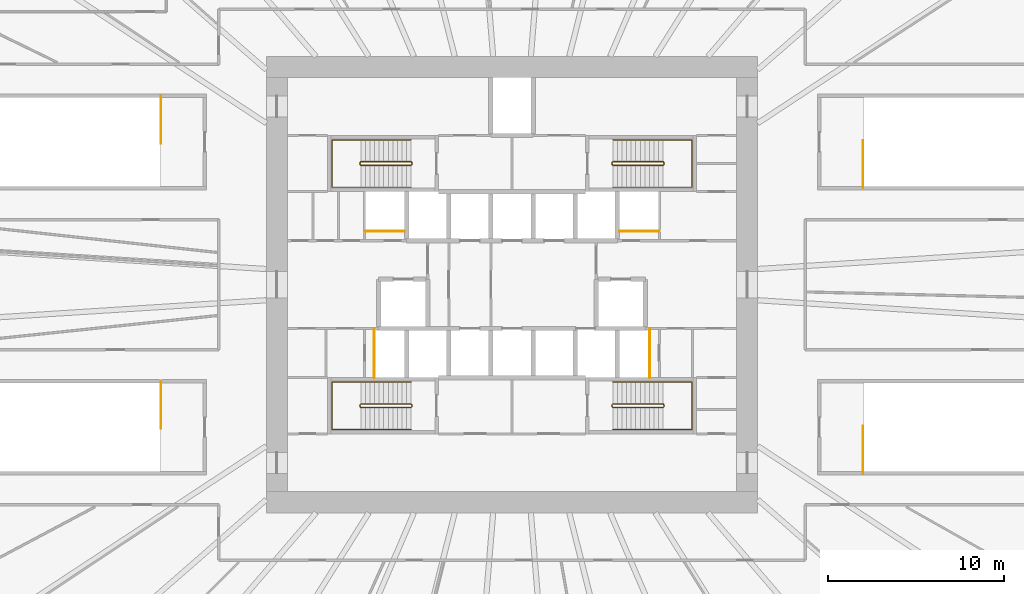
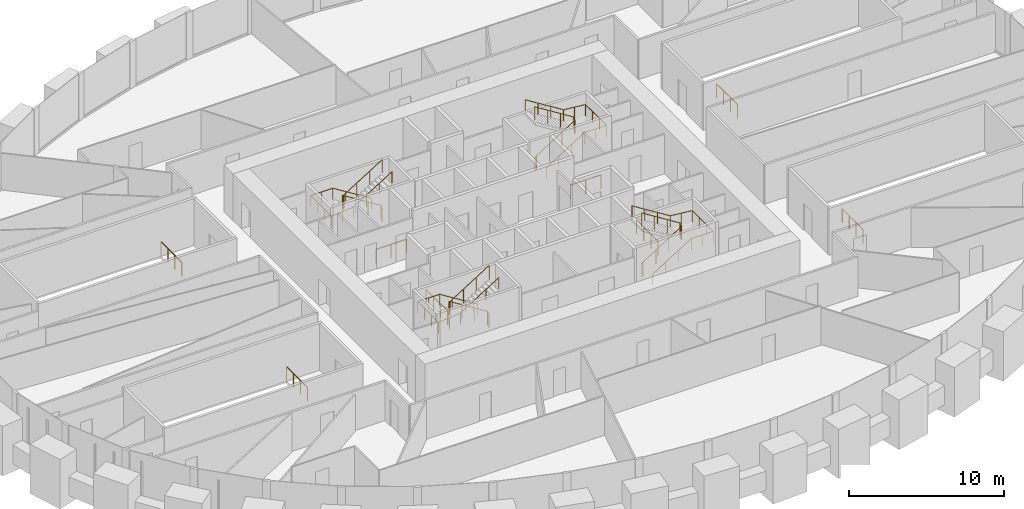
# One storey, part 12 of 12: 16 railings.
"""IFC4 building model written with IfcOpenShell, lengths in metres."""

from ifc_helpers import new_model, si_unit, direction, frame, origin, origin_2d, place, context, subcontext, project, spatial, circle, extrude, source, transform, mapped, material, type_object, element, save


model = new_model("IFC4")

# Units and contexts
model_context = context("Model", 3, precision=1e-05, world=origin(), true_north=direction((0.0, 1.0)))
body_context = subcontext(model_context, "Body", "Model", "MODEL_VIEW")
ifc_project = project(units=[si_unit("LENGTHUNIT", "METRE"), si_unit("AREAUNIT", "SQUARE_METRE"), si_unit("VOLUMEUNIT", "CUBIC_METRE"), si_unit("PLANEANGLEUNIT", "RADIAN"), si_unit("MASSUNIT", "GRAM", prefix="KILO")], contexts=[model_context])

# Site, building, storey
site_placement = place(None, origin())
site = spatial("IfcSite", under=ifc_project, at=site_placement, CompositionType="ELEMENT")
building_placement = place(site_placement, origin())
building = spatial("IfcBuilding", under=site, at=building_placement, Name="Embergate Tower", CompositionType="ELEMENT")
storey_placement = place(building_placement, frame((0.0, 0.0, 38.0)))
storey = spatial("IfcBuildingStorey", under=building, at=storey_placement, Name="L05", CompositionType="ELEMENT", Elevation=38.0)

# Railings
ifc_material_1 = material(Name="Stair guard 1100")
railing_type_1 = type_object("IfcRailingType", Name="Stair guard 1100", PredefinedType="GUARDRAIL", material=ifc_material_1)
shared_shape_1 = source(origin(), body_context, "Body", "SweptSolid", [
    extrude(circle(Radius=0.02392578125, at=origin_2d()), frame((0.0, 0.0, 1.076171875), z_axis=(0.0, 1.0, 0.0), x_axis=(-1.0, 0.0, 0.0)), (0.0, 0.0, 1.0), 0.099853515625),
    extrude(circle(Radius=0.02392578125, at=origin_2d()), frame((0.0, 0.099853515625, 1.076171875), z_axis=(-0.282227285176, 0.282227285176, 0.916894497205), x_axis=(-0.707106781187, -0.707106781187, 0.0)), (0.0, 0.0, 1.0), 0.17724609375),
    extrude(circle(Radius=0.02392578125, at=origin_2d()), frame((-0.050048828125, 0.14990234375, 1.23876953125), z_axis=(-0.848026770018, 0.0, 0.529953391661), x_axis=(0.0, -1.0, 0.0)), (0.0, 0.0, 1.0), 3.37255859375),
    extrude(circle(Radius=0.02392578125, at=origin_2d()), frame((-2.91015625, 0.14990234375, 3.02587890625), z_axis=(-0.705375805398, -0.708833529934, 0.0), x_axis=(0.708833529934, -0.705375805398, 0.0)), (0.0, 0.0, 1.0), 0.070556640625),
    extrude(circle(Radius=0.02392578125, at=origin_2d()), frame((-2.9599609375, 0.099853515625, 3.02587890625), z_axis=(0.0, -1.0, 0.0), x_axis=(1.0, 0.0, 0.0)), (0.0, 0.0, 1.0), 0.099853515625),
    extrude(circle(Radius=0.02392578125, at=origin_2d()), frame((-2.9599609375, 0.0, 3.02587890625), z_axis=(0.280959487676, -0.282336740067, 0.917250092119), x_axis=(0.708833529934, 0.705375805398, 0.0)), (0.0, 0.0, 1.0), 0.17724609375),
    extrude(circle(Radius=0.02392578125, at=origin_2d()), frame((-2.91015625, -0.050048828125, 3.1884765625), z_axis=(0.848026770018, 0.0, 0.529953391661), x_axis=(0.0, 1.0, 0.0)), (0.0, 0.0, 1.0), 3.37255859375),
    extrude(circle(Radius=0.02099609375, at=origin_2d()), origin(), (0.0, 0.0, 1.0), 1.052001953125),
    extrude(circle(Radius=0.02099609375, at=origin_2d()), frame((0.0, 0.099853515625, 0.0)), (0.0, 0.0, 1.0), 1.052001953125),
    extrude(circle(Radius=0.02099609375, at=origin_2d()), frame((-0.050048828125, 0.14990234375, 0.16259765625)), (0.0, 0.0, 1.0), 1.052001953125),
    extrude(circle(Radius=0.02099609375, at=origin_2d()), frame((-1.00341796875, 0.14990234375, 0.75830078125)), (0.0, 0.0, 1.0), 1.052001953125),
    extrude(circle(Radius=0.02099609375, at=origin_2d()), frame((-1.956787109375, 0.14990234375, 1.354248046875)), (0.0, 0.0, 1.0), 1.052001953125),
    extrude(circle(Radius=0.02099609375, at=origin_2d()), frame((-2.91015625, 0.14990234375, 1.949951171875)), (0.0, 0.0, 1.0), 1.052001953125),
    extrude(circle(Radius=0.02099609375, at=origin_2d()), frame((-2.9599609375, 0.099853515625, 1.949951171875)), (0.0, 0.0, 1.0), 1.052001953125),
    extrude(circle(Radius=0.02099609375, at=origin_2d()), frame((-2.9599609375, 0.0, 1.949951171875)), (0.0, 0.0, 1.0), 1.052001953125),
    extrude(circle(Radius=0.02099609375, at=origin_2d()), frame((-2.91015625, -0.050048828125, 2.112548828125)), (0.0, 0.0, 1.0), 1.052001953125),
    extrude(circle(Radius=0.02099609375, at=origin_2d()), frame((-1.956787109375, -0.050048828125, 2.708251953125)), (0.0, 0.0, 1.0), 1.052001953125),
    extrude(circle(Radius=0.02099609375, at=origin_2d()), frame((-1.00341796875, -0.050048828125, 3.30419921875)), (0.0, 0.0, 1.0), 1.052001953125),
    extrude(circle(Radius=0.02099609375, at=origin_2d()), frame((-0.050048828125, -0.050048828125, 3.89990234375)), (0.0, 0.0, 1.0), 1.052001953125),
])
for number, where, name in (
    (1, (-5.699951171875, 6.85009765625, 0.0), "L05 ST1 stair guard 1"),
    (2, (-5.699951171875, -6.949951171875, 0.0), "L05 ST3 stair guard 1"),
):
    element("IfcRailing", number, at=place(storey_placement, frame(where)), inside=storey, type_object=railing_type_1, Name=name, PredefinedType="GUARDRAIL", context=body_context, shape_type="MappedRepresentation", body=[
        mapped(shared_shape_1, transform((0.0, 0.0, 0.0))),
    ])
ifc_material_2 = material(Name="Stair handrail 900")
railing_type_2 = type_object("IfcRailingType", Name="Stair handrail 900", PredefinedType="HANDRAIL", material=ifc_material_2)
shared_shape_2 = source(origin(), body_context, "Body", "SweptSolid", [
    extrude(circle(Radius=0.02392578125, at=origin_2d()), frame((0.0, 0.0, 0.8759765625), z_axis=(-0.848026770018, 0.0, 0.529953391661), x_axis=(0.0, -1.0, 0.0)), (0.0, 0.0, 1.0), 3.37255859375),
    extrude(circle(Radius=0.02392578125, at=origin_2d()), frame((-2.860107421875, 0.0, 2.6630859375), z_axis=(-1.0, 0.0, 0.0), x_axis=(0.0, -1.0, 0.0)), (0.0, 0.0, 1.0), 1.639892578125),
    extrude(circle(Radius=0.02392578125, at=origin_2d()), frame((-4.5, 0.0, 2.6630859375), z_axis=(0.0, -1.0, 0.0), x_axis=(1.0, 0.0, 0.0)), (0.0, 0.0, 1.0), 2.699951171875),
    extrude(circle(Radius=0.02392578125, at=origin_2d()), frame((-4.5, -2.699951171875, 2.6630859375), z_axis=(0.995120448088, 0.0, 0.098667592441), x_axis=(0.0, 1.0, 0.0)), (0.0, 0.0, 1.0), 1.64794921875),
    extrude(circle(Radius=0.02392578125, at=origin_2d()), frame((-2.860107421875, -2.699951171875, 2.82568359375), z_axis=(0.848026770018, 0.0, 0.529953391661), x_axis=(0.0, 1.0, 0.0)), (0.0, 0.0, 1.0), 3.37255859375),
    extrude(circle(Radius=0.02099609375, at=origin_2d()), origin(), (0.0, 0.0, 1.0), 0.851806640625),
    extrude(circle(Radius=0.02099609375, at=origin_2d()), frame((-0.953369140625, 0.0, 0.595703125)), (0.0, 0.0, 1.0), 0.851806640625),
    extrude(circle(Radius=0.02099609375, at=origin_2d()), frame((-1.90673828125, 0.0, 1.191650390625)), (0.0, 0.0, 1.0), 0.851806640625),
    extrude(circle(Radius=0.02099609375, at=origin_2d()), frame((-2.860107421875, 0.0, 1.787353515625)), (0.0, 0.0, 1.0), 0.851806640625),
    extrude(circle(Radius=0.02099609375, at=origin_2d()), frame((-3.68017578125, 0.0, 1.787353515625)), (0.0, 0.0, 1.0), 0.851806640625),
    extrude(circle(Radius=0.02099609375, at=origin_2d()), frame((-4.5, 0.0, 1.787353515625)), (0.0, 0.0, 1.0), 0.851806640625),
    extrude(circle(Radius=0.02099609375, at=origin_2d()), frame((-4.5, -0.89990234375, 1.787353515625)), (0.0, 0.0, 1.0), 0.851806640625),
    extrude(circle(Radius=0.02099609375, at=origin_2d()), frame((-4.5, -1.800048828125, 1.787353515625)), (0.0, 0.0, 1.0), 0.851806640625),
    extrude(circle(Radius=0.02099609375, at=origin_2d()), frame((-4.5, -2.699951171875, 1.787353515625)), (0.0, 0.0, 1.0), 0.851806640625),
    extrude(circle(Radius=0.02099609375, at=origin_2d()), frame((-3.68017578125, -2.699951171875, 1.86865234375)), (0.0, 0.0, 1.0), 0.851806640625),
    extrude(circle(Radius=0.02099609375, at=origin_2d()), frame((-2.860107421875, -2.699951171875, 1.949951171875)), (0.0, 0.0, 1.0), 0.851806640625),
    extrude(circle(Radius=0.02099609375, at=origin_2d()), frame((-1.90673828125, -2.699951171875, 2.545654296875)), (0.0, 0.0, 1.0), 0.851806640625),
    extrude(circle(Radius=0.02099609375, at=origin_2d()), frame((-0.953369140625, -2.699951171875, 3.1416015625)), (0.0, 0.0, 1.0), 0.851806640625),
    extrude(circle(Radius=0.02099609375, at=origin_2d()), frame((0.0, -2.699951171875, 3.7373046875)), (0.0, 0.0, 1.0), 0.851806640625),
])
for number, where, name in (
    (3, (-5.75, 8.25, 0.16259765625), "L05 ST1 stair handrail 1"),
    (4, (-5.75, -5.550048828125, 0.16259765625), "L05 ST3 stair handrail 1"),
):
    element("IfcRailing", number, at=place(storey_placement, frame(where)), inside=storey, type_object=railing_type_2, Name=name, PredefinedType="HANDRAIL", context=body_context, shape_type="MappedRepresentation", body=[
        mapped(shared_shape_2, transform((0.0, 0.0, 0.0))),
    ])
shared_shape_3 = source(origin(), body_context, "Body", "SweptSolid", [
    extrude(circle(Radius=0.02392578125, at=origin_2d()), frame((0.0, 0.0, 1.076171875), z_axis=(0.0, -1.0, 0.0), x_axis=(1.0, 0.0, 0.0)), (0.0, 0.0, 1.0), 0.099853515625),
    extrude(circle(Radius=0.02392578125, at=origin_2d()), frame((0.0, -0.099853515625, 1.076171875), z_axis=(0.282227285176, -0.282227285176, 0.916894497205), x_axis=(0.707106781187, 0.707106781187, 0.0)), (0.0, 0.0, 1.0), 0.17724609375),
    extrude(circle(Radius=0.02392578125, at=origin_2d()), frame((0.050048828125, -0.14990234375, 1.23876953125), z_axis=(0.848026770018, 0.0, 0.529953391661), x_axis=(0.0, 1.0, 0.0)), (0.0, 0.0, 1.0), 3.37255859375),
    extrude(circle(Radius=0.02392578125, at=origin_2d()), frame((2.91015625, -0.14990234375, 3.02587890625), z_axis=(0.705375805398, 0.708833529934, 0.0), x_axis=(-0.708833529934, 0.705375805398, 0.0)), (0.0, 0.0, 1.0), 0.070556640625),
    extrude(circle(Radius=0.02392578125, at=origin_2d()), frame((2.9599609375, -0.099853515625, 3.02587890625), z_axis=(0.0, 1.0, 0.0), x_axis=(-1.0, 0.0, 0.0)), (0.0, 0.0, 1.0), 0.099853515625),
    extrude(circle(Radius=0.02392578125, at=origin_2d()), frame((2.9599609375, 0.0, 3.02587890625), z_axis=(-0.280959487676, 0.282336740067, 0.917250092119), x_axis=(-0.708833529934, -0.705375805398, 0.0)), (0.0, 0.0, 1.0), 0.17724609375),
    extrude(circle(Radius=0.02392578125, at=origin_2d()), frame((2.91015625, 0.050048828125, 3.1884765625), z_axis=(-0.848026770018, 0.0, 0.529953391661), x_axis=(0.0, -1.0, 0.0)), (0.0, 0.0, 1.0), 3.37255859375),
    extrude(circle(Radius=0.02099609375, at=origin_2d()), origin(), (0.0, 0.0, 1.0), 1.052001953125),
    extrude(circle(Radius=0.02099609375, at=origin_2d()), frame((0.0, -0.099853515625, 0.0)), (0.0, 0.0, 1.0), 1.052001953125),
    extrude(circle(Radius=0.02099609375, at=origin_2d()), frame((0.050048828125, -0.14990234375, 0.16259765625)), (0.0, 0.0, 1.0), 1.052001953125),
    extrude(circle(Radius=0.02099609375, at=origin_2d()), frame((1.00341796875, -0.14990234375, 0.75830078125)), (0.0, 0.0, 1.0), 1.052001953125),
    extrude(circle(Radius=0.02099609375, at=origin_2d()), frame((1.956787109375, -0.14990234375, 1.354248046875)), (0.0, 0.0, 1.0), 1.052001953125),
    extrude(circle(Radius=0.02099609375, at=origin_2d()), frame((2.91015625, -0.14990234375, 1.949951171875)), (0.0, 0.0, 1.0), 1.052001953125),
    extrude(circle(Radius=0.02099609375, at=origin_2d()), frame((2.9599609375, -0.099853515625, 1.949951171875)), (0.0, 0.0, 1.0), 1.052001953125),
    extrude(circle(Radius=0.02099609375, at=origin_2d()), frame((2.9599609375, 0.0, 1.949951171875)), (0.0, 0.0, 1.0), 1.052001953125),
    extrude(circle(Radius=0.02099609375, at=origin_2d()), frame((2.91015625, 0.050048828125, 2.112548828125)), (0.0, 0.0, 1.0), 1.052001953125),
    extrude(circle(Radius=0.02099609375, at=origin_2d()), frame((1.956787109375, 0.050048828125, 2.708251953125)), (0.0, 0.0, 1.0), 1.052001953125),
    extrude(circle(Radius=0.02099609375, at=origin_2d()), frame((1.00341796875, 0.050048828125, 3.30419921875)), (0.0, 0.0, 1.0), 1.052001953125),
    extrude(circle(Radius=0.02099609375, at=origin_2d()), frame((0.050048828125, 0.050048828125, 3.89990234375)), (0.0, 0.0, 1.0), 1.052001953125),
])
for number, where, name in (
    (5, (5.699951171875, 6.949951171875, 0.0), "L05 ST2 stair guard 1"),
    (6, (5.699951171875, -6.85009765625, 0.0), "L05 ST4 stair guard 1"),
):
    element("IfcRailing", number, at=place(storey_placement, frame(where)), inside=storey, type_object=railing_type_1, Name=name, PredefinedType="GUARDRAIL", context=body_context, shape_type="MappedRepresentation", body=[
        mapped(shared_shape_3, transform((0.0, 0.0, 0.0))),
    ])
shared_shape_4 = source(origin(), body_context, "Body", "SweptSolid", [
    extrude(circle(Radius=0.02392578125, at=origin_2d()), frame((0.0, 0.0, 0.8759765625), z_axis=(0.848026770018, 0.0, 0.529953391661), x_axis=(0.0, 1.0, 0.0)), (0.0, 0.0, 1.0), 3.37255859375),
    extrude(circle(Radius=0.02392578125, at=origin_2d()), frame((2.860107421875, 0.0, 2.6630859375), z_axis=(1.0, 0.0, 0.0), x_axis=(0.0, 1.0, 0.0)), (0.0, 0.0, 1.0), 1.639892578125),
    extrude(circle(Radius=0.02392578125, at=origin_2d()), frame((4.5, 0.0, 2.6630859375), z_axis=(0.0, 1.0, 0.0), x_axis=(-1.0, 0.0, 0.0)), (0.0, 0.0, 1.0), 2.699951171875),
    extrude(circle(Radius=0.02392578125, at=origin_2d()), frame((4.5, 2.699951171875, 2.6630859375), z_axis=(-0.995120448088, 0.0, 0.098667592441), x_axis=(0.0, -1.0, 0.0)), (0.0, 0.0, 1.0), 1.64794921875),
    extrude(circle(Radius=0.02392578125, at=origin_2d()), frame((2.860107421875, 2.699951171875, 2.82568359375), z_axis=(-0.848026770018, 0.0, 0.529953391661), x_axis=(0.0, -1.0, 0.0)), (0.0, 0.0, 1.0), 3.37255859375),
    extrude(circle(Radius=0.02099609375, at=origin_2d()), origin(), (0.0, 0.0, 1.0), 0.851806640625),
    extrude(circle(Radius=0.02099609375, at=origin_2d()), frame((0.953369140625, 0.0, 0.595703125)), (0.0, 0.0, 1.0), 0.851806640625),
    extrude(circle(Radius=0.02099609375, at=origin_2d()), frame((1.90673828125, 0.0, 1.191650390625)), (0.0, 0.0, 1.0), 0.851806640625),
    extrude(circle(Radius=0.02099609375, at=origin_2d()), frame((2.860107421875, 0.0, 1.787353515625)), (0.0, 0.0, 1.0), 0.851806640625),
    extrude(circle(Radius=0.02099609375, at=origin_2d()), frame((3.68017578125, 0.0, 1.787353515625)), (0.0, 0.0, 1.0), 0.851806640625),
    extrude(circle(Radius=0.02099609375, at=origin_2d()), frame((4.5, 0.0, 1.787353515625)), (0.0, 0.0, 1.0), 0.851806640625),
    extrude(circle(Radius=0.02099609375, at=origin_2d()), frame((4.5, 0.89990234375, 1.787353515625)), (0.0, 0.0, 1.0), 0.851806640625),
    extrude(circle(Radius=0.02099609375, at=origin_2d()), frame((4.5, 1.800048828125, 1.787353515625)), (0.0, 0.0, 1.0), 0.851806640625),
    extrude(circle(Radius=0.02099609375, at=origin_2d()), frame((4.5, 2.699951171875, 1.787353515625)), (0.0, 0.0, 1.0), 0.851806640625),
    extrude(circle(Radius=0.02099609375, at=origin_2d()), frame((3.68017578125, 2.699951171875, 1.86865234375)), (0.0, 0.0, 1.0), 0.851806640625),
    extrude(circle(Radius=0.02099609375, at=origin_2d()), frame((2.860107421875, 2.699951171875, 1.949951171875)), (0.0, 0.0, 1.0), 0.851806640625),
    extrude(circle(Radius=0.02099609375, at=origin_2d()), frame((1.90673828125, 2.699951171875, 2.545654296875)), (0.0, 0.0, 1.0), 0.851806640625),
    extrude(circle(Radius=0.02099609375, at=origin_2d()), frame((0.953369140625, 2.699951171875, 3.1416015625)), (0.0, 0.0, 1.0), 0.851806640625),
    extrude(circle(Radius=0.02099609375, at=origin_2d()), frame((0.0, 2.699951171875, 3.7373046875)), (0.0, 0.0, 1.0), 0.851806640625),
])
for number, where, name in (
    (7, (5.75, 5.550048828125, 0.16259765625), "L05 ST2 stair handrail 1"),
    (8, (5.75, -8.25, 0.16259765625), "L05 ST4 stair handrail 1"),
):
    element("IfcRailing", number, at=place(storey_placement, frame(where)), inside=storey, type_object=railing_type_2, Name=name, PredefinedType="HANDRAIL", context=body_context, shape_type="MappedRepresentation", body=[
        mapped(shared_shape_4, transform((0.0, 0.0, 0.0))),
    ])
ifc_material_3 = material(Name="Opening guard 1100")
railing_type_3 = type_object("IfcRailingType", Name="Opening guard 1100", PredefinedType="GUARDRAIL", material=ifc_material_3)
shared_shape_5 = source(origin(), body_context, "Body", "SweptSolid", [
    extrude(circle(Radius=0.02392578125, at=origin_2d()), frame((0.0, 0.0, 1.076171875), z_axis=(1.0, 0.0, 0.0), x_axis=(0.0, 1.0, 0.0)), (0.0, 0.0, 1.0), 2.27490234375),
    extrude(circle(Radius=0.02099609375, at=origin_2d()), origin(), (0.0, 0.0, 1.0), 1.052001953125),
    extrude(circle(Radius=0.02099609375, at=origin_2d()), frame((1.137451171875, 0.0, 0.0)), (0.0, 0.0, 1.0), 1.052001953125),
    extrude(circle(Radius=0.02099609375, at=origin_2d()), frame((2.27490234375, 0.0, 0.0)), (0.0, 0.0, 1.0), 1.052001953125),
])
for number, where, name in (
    (9, (-8.39990234375, 3.050048828125, 0.0), "Riser opening guard"),
    (10, (6.125, 3.050048828125, 0.0), "Riser opening guard"),
):
    element("IfcRailing", number, at=place(storey_placement, frame(where)), inside=storey, type_object=railing_type_3, Name=name, PredefinedType="GUARDRAIL", context=body_context, shape_type="MappedRepresentation", body=[
        mapped(shared_shape_5, transform((0.0, 0.0, 0.0))),
    ])
shared_shape_6 = source(origin(), body_context, "Body", "SweptSolid", [
    extrude(circle(Radius=0.02392578125, at=origin_2d()), frame((0.0, 0.0, 1.076171875), z_axis=(0.0, 1.0, 0.0), x_axis=(-1.0, 0.0, 0.0)), (0.0, 0.0, 1.0), 2.800048828125),
    extrude(circle(Radius=0.02099609375, at=origin_2d()), origin(), (0.0, 0.0, 1.0), 1.052001953125),
    extrude(circle(Radius=0.02099609375, at=origin_2d()), frame((0.0, 0.933349609375, 0.0)), (0.0, 0.0, 1.0), 1.052001953125),
    extrude(circle(Radius=0.02099609375, at=origin_2d()), frame((0.0, 1.86669921875, 0.0)), (0.0, 0.0, 1.0), 1.052001953125),
    extrude(circle(Radius=0.02099609375, at=origin_2d()), frame((0.0, 2.800048828125, 0.0)), (0.0, 0.0, 1.0), 1.052001953125),
])
for number, where, name in (
    (11, (-7.85009765625, -5.300048828125, 0.0), "Riser opening guard"),
    (12, (7.85009765625, -5.300048828125, 0.0), "Riser opening guard"),
):
    element("IfcRailing", number, at=place(storey_placement, frame(where)), inside=storey, type_object=railing_type_3, Name=name, PredefinedType="GUARDRAIL", context=body_context, shape_type="MappedRepresentation", body=[
        mapped(shared_shape_6, transform((0.0, 0.0, 0.0))),
    ])
ifc_material_4 = material(Name="Steel", Category="steel")
railing_type_4 = type_object("IfcRailingType", Name="Podium stair guard 1100", PredefinedType="GUARDRAIL", material=ifc_material_4)
shared_shape_7 = source(origin(), body_context, "Body", "SweptSolid", [
    extrude(circle(Radius=0.02392578125, at=origin_2d()), frame((0.0, 0.0, 1.076171875), z_axis=(0.0, 1.0, 0.0), x_axis=(-1.0, 0.0, 0.0)), (0.0, 0.0, 1.0), 2.699951171875),
    extrude(circle(Radius=0.02099609375, at=origin_2d()), origin(), (0.0, 0.0, 1.0), 1.052001953125),
    extrude(circle(Radius=0.02099609375, at=origin_2d()), frame((0.0, 0.89990234375, 0.0)), (0.0, 0.0, 1.0), 1.052001953125),
    extrude(circle(Radius=0.02099609375, at=origin_2d()), frame((0.0, 1.800048828125, 0.0)), (0.0, 0.0, 1.0), 1.052001953125),
    extrude(circle(Radius=0.02099609375, at=origin_2d()), frame((0.0, 2.699951171875, 0.0)), (0.0, 0.0, 1.0), 1.052001953125),
])
for number, where, name in (
    (13, (20.0, 5.5, 0.0), "L05 P1 top well guard 1"),
    (14, (20.0, -10.75, 0.0), "L05 P2 top well guard 1"),
):
    element("IfcRailing", number, at=place(storey_placement, frame(where)), inside=storey, type_object=railing_type_4, Name=name, PredefinedType="GUARDRAIL", context=body_context, shape_type="MappedRepresentation", body=[
        mapped(shared_shape_7, transform((0.0, 0.0, 0.0))),
    ])
shared_shape_8 = source(origin(), body_context, "Body", "SweptSolid", [
    extrude(circle(Radius=0.02392578125, at=origin_2d()), frame((0.0, 0.0, 1.076171875), z_axis=(0.0, -1.0, 0.0), x_axis=(1.0, 0.0, 0.0)), (0.0, 0.0, 1.0), 2.699951171875),
    extrude(circle(Radius=0.02099609375, at=origin_2d()), origin(), (0.0, 0.0, 1.0), 1.052001953125),
    extrude(circle(Radius=0.02099609375, at=origin_2d()), frame((0.0, -0.89990234375, 0.0)), (0.0, 0.0, 1.0), 1.052001953125),
    extrude(circle(Radius=0.02099609375, at=origin_2d()), frame((0.0, -1.800048828125, 0.0)), (0.0, 0.0, 1.0), 1.052001953125),
    extrude(circle(Radius=0.02099609375, at=origin_2d()), frame((0.0, -2.699951171875, 0.0)), (0.0, 0.0, 1.0), 1.052001953125),
])
for number, where, name in (
    (15, (-20.0, 10.75, 0.0), "L05 P3 top well guard 1"),
    (16, (-20.0, -5.5, 0.0), "L05 P4 top well guard 1"),
):
    element("IfcRailing", number, at=place(storey_placement, frame(where)), inside=storey, type_object=railing_type_4, Name=name, PredefinedType="GUARDRAIL", context=body_context, shape_type="MappedRepresentation", body=[
        mapped(shared_shape_8, transform((0.0, 0.0, 0.0))),
    ])

save(model, "model.ifc")
